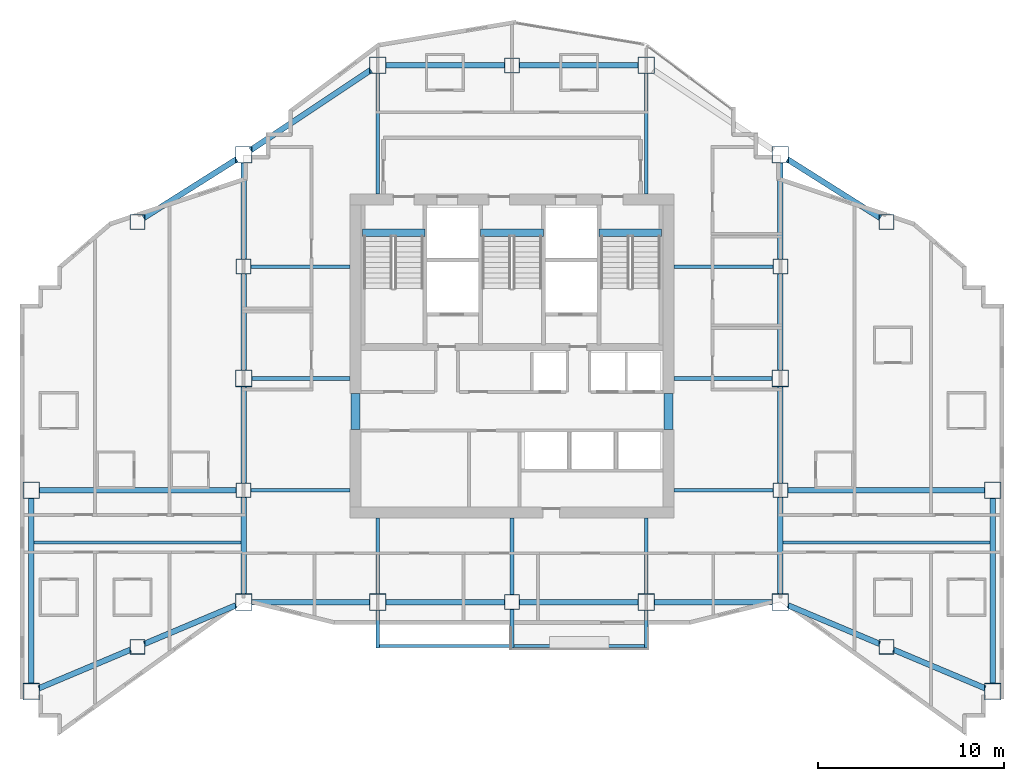
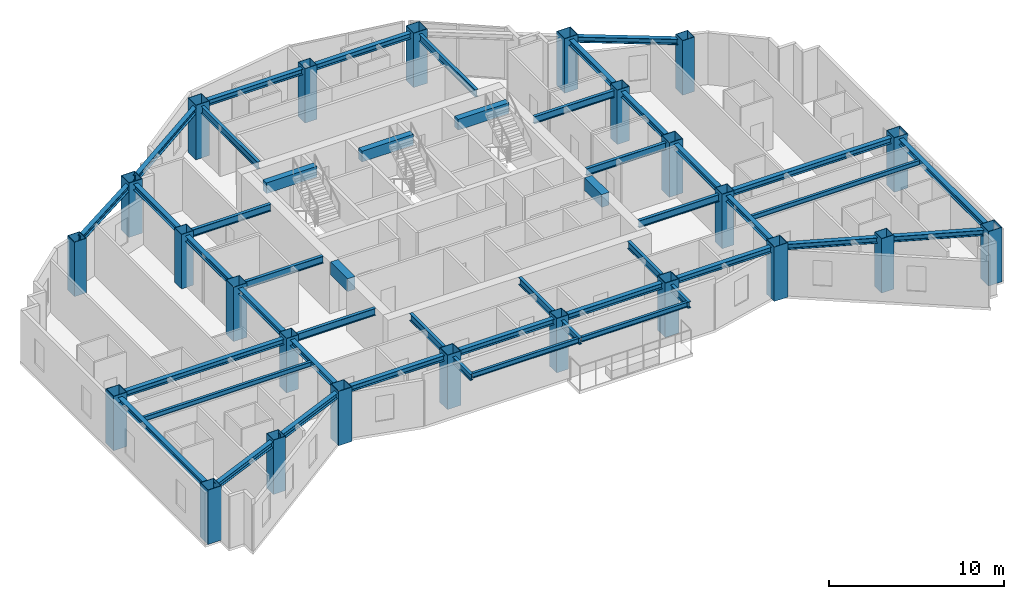
# One storey, part 1 of 11: 48 beams, 24 columns.
"""IFC4 building model written with IfcOpenShell, lengths in metres."""

from ifc_helpers import new_model, si_unit, direction, frame, origin, origin_2d, place, context, subcontext, project, spatial, rectangle, hollow_rectangle, i_section, extrude, material, material_profile, profile_set, type_object, element, save


model = new_model("IFC4")

# Units and contexts
model_context = context("Model", 3, precision=1e-05, world=origin(), true_north=direction((0.0, 1.0)))
body_context = subcontext(model_context, "Body", "Model", "MODEL_VIEW")
ifc_project = project(units=[si_unit("LENGTHUNIT", "METRE"), si_unit("AREAUNIT", "SQUARE_METRE"), si_unit("VOLUMEUNIT", "CUBIC_METRE"), si_unit("PLANEANGLEUNIT", "RADIAN"), si_unit("MASSUNIT", "GRAM", prefix="KILO")], contexts=[model_context])

# Site, building, storey
site_placement = place(None, origin())
site = spatial("IfcSite", under=ifc_project, at=site_placement, CompositionType="ELEMENT")
building_placement = place(site_placement, origin())
building = spatial("IfcBuilding", under=site, at=building_placement, Name="Haolan Belvedere Tower", CompositionType="ELEMENT")
storey_placement = place(building_placement, frame((0.0, 0.0, 188.0)))
storey = spatial("IfcBuildingStorey", under=building, at=storey_placement, Name="L47", CompositionType="ELEMENT", Elevation=188.0)

# Columns
ifc_material_1 = material(Name="Steel Q390GJC", Category="steel")
ifc_material_profile_1 = material_profile(ifc_material_1, hollow_rectangle(XDim=0.800048828125, YDim=0.800048828125, WallThickness=0.030029296875, at=origin_2d()), Name="Steel Q390GJC")
ifc_profile_set_1 = profile_set([ifc_material_profile_1], Name="Steel Q390GJC")
column_type_1 = type_object("IfcColumnType", Name="COL-BOX800x800x30", PredefinedType="COLUMN", material=ifc_profile_set_1)
for number, where, z_axis, x_axis, name in (
    (1, (24.0, 27.60009765625, 0.0), (0.0, 0.0, 1.0), (1.0, 0.0, 0.0), "L47 column TC-T3-W1 (BOX800x800x30)"),
    (2, (24.0, 39.60009765625, 0.0), (0.0, 0.0, 1.0), (1.0, 0.0, 0.0), "L47 column TC-T3-W2 (BOX800x800x30)"),
    (3, (52.800048828125, 27.60009765625, 0.0), (0.0, 0.0, 1.0), (1.0, 0.0, 0.0), "L47 column TC-T3-E1 (BOX800x800x30)"),
    (4, (52.800048828125, 39.60009765625, 0.0), (0.0, 0.0, 1.0), (1.0, 0.0, 0.0), "L47 column TC-T3-E2 (BOX800x800x30)"),
    (5, (38.39990234375, 21.60009765625, 0.0), (0.0, 0.0, 1.0), (1.0, 0.0, 0.0), "L47 column TC-T3-SM (BOX800x800x30)"),
    (6, (38.39990234375, 50.39990234375, 0.0), (0.0, 0.0, 1.0), (1.0, 0.0, 0.0), "L47 column TC-T3-NM (BOX800x800x30)"),
    (7, (18.300048828125, 19.199951171875, 0.0), (0.0, 0.0, 1.0), (1.0, 0.0, 0.0), "L47 column TC-T2-S1 (BOX800x800x30)"),
    (8, (18.300048828125, 42.0, 0.0), (0.0, 0.0, 1.0), (1.0, 0.0, 0.0), "L47 column TC-T2-N1 (BOX800x800x30)"),
    (9, (58.5, 19.199951171875, 0.0), (0.0, 0.0, 1.0), (1.0, 0.0, 0.0), "L47 column TC-T4-S1 (BOX800x800x30)"),
    (10, (58.5, 42.0, 0.0), (0.0, 0.0, 1.0), (1.0, 0.0, 0.0), "L47 column TC-T4-N1 (BOX800x800x30)"),
):
    element("IfcColumn", number, at=place(storey_placement, frame(where, z_axis=z_axis, x_axis=x_axis)), inside=storey, type_object=column_type_1, Name=name, PredefinedType="COLUMN", context=body_context, shape_type="SweptSolid", body=[
        extrude(hollow_rectangle(XDim=0.800048828125, YDim=0.800048828125, WallThickness=0.030029296875, at=origin_2d()), origin(), (0.0, 0.0, 1.0), 3.800048828125),
    ])
ifc_material_profile_2 = material_profile(ifc_material_1, hollow_rectangle(XDim=0.89990234375, YDim=0.89990234375, WallThickness=0.033935546875, at=origin_2d()), Name="Steel Q390GJC")
ifc_profile_set_2 = profile_set([ifc_material_profile_2], Name="Steel Q390GJC")
column_type_2 = type_object("IfcColumnType", Name="COL-BOX900x900x34", PredefinedType="COLUMN", material=ifc_profile_set_2)
for number, where, z_axis, x_axis, name in (
    (11, (24.0, 21.60009765625, 0.0), (0.0, 0.0, 1.0), (1.0, 0.0, 0.0), "L47 column MC-T3-SW (BOX900x900x34)"),
    (12, (24.0, 33.60009765625, 0.0), (0.0, 0.0, 1.0), (1.0, 0.0, 0.0), "L47 column MC-T3-MW (BOX900x900x34)"),
    (13, (24.0, 45.60009765625, 0.0), (0.0, 0.0, 1.0), (1.0, 0.0, 0.0), "L47 column MC-T3-NW (BOX900x900x34)"),
    (14, (52.800048828125, 21.60009765625, 0.0), (0.0, 0.0, 1.0), (1.0, 0.0, 0.0), "L47 column MC-T3-SE (BOX900x900x34)"),
    (15, (52.800048828125, 33.60009765625, 0.0), (0.0, 0.0, 1.0), (1.0, 0.0, 0.0), "L47 column MC-T3-ME (BOX900x900x34)"),
    (16, (52.800048828125, 45.60009765625, 0.0), (0.0, 0.0, 1.0), (1.0, 0.0, 0.0), "L47 column MC-T3-NE (BOX900x900x34)"),
    (17, (31.199951171875, 21.60009765625, 0.0), (0.0, 0.0, 1.0), (1.0, 0.0, 0.0), "L47 column MC-T3-S1 (BOX900x900x34)"),
    (18, (45.60009765625, 21.60009765625, 0.0), (0.0, 0.0, 1.0), (1.0, 0.0, 0.0), "L47 column MC-T3-S2 (BOX900x900x34)"),
    (19, (31.199951171875, 50.39990234375, 0.0), (0.0, 0.0, 1.0), (1.0, 0.0, 0.0), "L47 column MC-T3-N1 (BOX900x900x34)"),
    (20, (45.60009765625, 50.39990234375, 0.0), (0.0, 0.0, 1.0), (1.0, 0.0, 0.0), "L47 column MC-T3-N2 (BOX900x900x34)"),
    (21, (12.60009765625, 16.800048828125, 0.0), (0.0, 0.0, 1.0), (1.0, 0.0, 0.0), "L47 column MC-T2-SW (BOX900x900x34)"),
    (22, (12.60009765625, 27.60009765625, 0.0), (0.0, 0.0, 1.0), (1.0, 0.0, 0.0), "L47 column MC-T2-MW (BOX900x900x34)"),
    (23, (64.199951171875, 16.800048828125, 0.0), (0.0, 0.0, 1.0), (1.0, 0.0, 0.0), "L47 column MC-T4-SE (BOX900x900x34)"),
    (24, (64.199951171875, 27.60009765625, 0.0), (0.0, 0.0, 1.0), (1.0, 0.0, 0.0), "L47 column MC-T4-ME (BOX900x900x34)"),
):
    element("IfcColumn", number, at=place(storey_placement, frame(where, z_axis=z_axis, x_axis=x_axis)), inside=storey, type_object=column_type_2, Name=name, PredefinedType="COLUMN", context=body_context, shape_type="SweptSolid", body=[
        extrude(hollow_rectangle(XDim=0.89990234375, YDim=0.89990234375, WallThickness=0.033935546875, at=origin_2d()), origin(), (0.0, 0.0, 1.0), 3.800048828125),
    ])

# Beams
ifc_material_2 = material(Name="Steel Q355B", Category="steel")
ifc_material_profile_3 = material_profile(ifc_material_2, i_section(OverallWidth=0.300048828125, OverallDepth=0.389892578125, WebThickness=0.010009765625, FlangeThickness=0.01611328125, FilletRadius=0.02197265625, at=origin_2d()), Name="Steel Q355B")
ifc_profile_set_3 = profile_set([ifc_material_profile_3], Name="Steel Q355B")
beam_type_1 = type_object("IfcBeamType", Name="BM-HM390x300x10x16", PredefinedType="SPANDREL", material=ifc_profile_set_3)
for number, where, z_axis, x_axis, name in (
    (25, (24.0, 22.050048828125, 3.425048828125), (0.0, 1.0, 0.0), (-1.0, 0.0, 0.0), "L47 spandrel girder MC-T3-SW-TC-T3-W1"),
    (26, (24.0, 28.0, 3.425048828125), (0.0, 1.0, 0.0), (-1.0, 0.0, 0.0), "L47 spandrel girder TC-T3-W1-MC-T3-MW"),
    (27, (24.0, 34.050048828125, 3.425048828125), (0.0, 1.0, 0.0), (-1.0, 0.0, 0.0), "L47 spandrel girder MC-T3-MW-TC-T3-W2"),
    (28, (24.0, 40.0, 3.425048828125), (0.0, 1.0, 0.0), (-1.0, 0.0, 0.0), "L47 spandrel girder TC-T3-W2-MC-T3-NW"),
    (29, (52.800048828125, 22.050048828125, 3.425048828125), (0.0, 1.0, 0.0), (-1.0, 0.0, 0.0), "L47 spandrel girder MC-T3-SE-TC-T3-E1"),
    (30, (52.800048828125, 28.0, 3.425048828125), (0.0, 1.0, 0.0), (-1.0, 0.0, 0.0), "L47 spandrel girder TC-T3-E1-MC-T3-ME"),
    (31, (52.800048828125, 34.050048828125, 3.425048828125), (0.0, 1.0, 0.0), (-1.0, 0.0, 0.0), "L47 spandrel girder MC-T3-ME-TC-T3-E2"),
    (32, (52.800048828125, 40.0, 3.425048828125), (0.0, 1.0, 0.0), (-1.0, 0.0, 0.0), "L47 spandrel girder TC-T3-E2-MC-T3-NE"),
):
    element("IfcBeam", number, at=place(storey_placement, frame(where, z_axis=z_axis, x_axis=x_axis)), inside=storey, type_object=beam_type_1, Name=name, PredefinedType="SPANDREL", context=body_context, shape_type="SweptSolid", body=[
        extrude(i_section(OverallWidth=0.300048828125, OverallDepth=0.389892578125, WebThickness=0.010009765625, FlangeThickness=0.01611328125, FilletRadius=0.02197265625, at=origin_2d()), origin(), (0.0, 0.0, 1.0), 5.14990234375),
    ])
beam_1_placement = place(storey_placement, frame((24.449951171875, 21.60009765625, 3.425048828125), z_axis=(1.0, 0.0, 0.0), x_axis=(0.0, 1.0, 0.0)))
element("IfcBeam", 33, at=beam_1_placement, inside=storey, type_object=beam_type_1, Name="L47 spandrel girder MC-T3-SW-MC-T3-S1", PredefinedType="SPANDREL", context=body_context, shape_type="SweptSolid", body=[
    extrude(i_section(OverallWidth=0.300048828125, OverallDepth=0.389892578125, WebThickness=0.010009765625, FlangeThickness=0.01611328125, FilletRadius=0.02197265625, at=origin_2d()), origin(), (0.0, 0.0, 1.0), 6.300048828125),
])
beam_2_placement = place(storey_placement, frame((31.64990234375, 21.60009765625, 3.425048828125), z_axis=(1.0, 0.0, 0.0), x_axis=(0.0, 1.0, 0.0)))
element("IfcBeam", 34, at=beam_2_placement, inside=storey, type_object=beam_type_1, Name="L47 spandrel girder MC-T3-S1-TC-T3-SM", PredefinedType="SPANDREL", context=body_context, shape_type="SweptSolid", body=[
    extrude(i_section(OverallWidth=0.300048828125, OverallDepth=0.389892578125, WebThickness=0.010009765625, FlangeThickness=0.01611328125, FilletRadius=0.02197265625, at=origin_2d()), origin(), (0.0, 0.0, 1.0), 6.35009765625),
])
beam_3_placement = place(storey_placement, frame((38.800048828125, 21.60009765625, 3.425048828125), z_axis=(1.0, 0.0, 0.0), x_axis=(0.0, 1.0, 0.0)))
element("IfcBeam", 35, at=beam_3_placement, inside=storey, type_object=beam_type_1, Name="L47 spandrel girder TC-T3-SM-MC-T3-S2", PredefinedType="SPANDREL", context=body_context, shape_type="SweptSolid", body=[
    extrude(i_section(OverallWidth=0.300048828125, OverallDepth=0.389892578125, WebThickness=0.010009765625, FlangeThickness=0.01611328125, FilletRadius=0.02197265625, at=origin_2d()), origin(), (0.0, 0.0, 1.0), 6.349853515625),
])
beam_4_placement = place(storey_placement, frame((46.050048828125, 21.60009765625, 3.425048828125), z_axis=(1.0, 0.0, 0.0), x_axis=(0.0, 1.0, 0.0)))
element("IfcBeam", 36, at=beam_4_placement, inside=storey, type_object=beam_type_1, Name="L47 spandrel girder MC-T3-S2-MC-T3-SE", PredefinedType="SPANDREL", context=body_context, shape_type="SweptSolid", body=[
    extrude(i_section(OverallWidth=0.300048828125, OverallDepth=0.389892578125, WebThickness=0.010009765625, FlangeThickness=0.01611328125, FilletRadius=0.02197265625, at=origin_2d()), origin(), (0.0, 0.0, 1.0), 6.300048828125),
])
beam_5_placement = place(storey_placement, frame((24.37451171875, 45.849609375, 3.425048828125), z_axis=(0.832050294338, 0.554700196225, 0.0), x_axis=(-0.554700196225, 0.832050294338, 0.0)))
element("IfcBeam", 37, at=beam_5_placement, inside=storey, type_object=beam_type_1, Name="L47 spandrel girder MC-T3-NW-MC-T3-N1", PredefinedType="SPANDREL", context=body_context, shape_type="SweptSolid", body=[
    extrude(i_section(OverallWidth=0.300048828125, OverallDepth=0.389892578125, WebThickness=0.010009765625, FlangeThickness=0.01611328125, FilletRadius=0.02197265625, at=origin_2d()), origin(), (0.0, 0.0, 1.0), 7.75341796875),
])
beam_6_placement = place(storey_placement, frame((31.64990234375, 50.39990234375, 3.425048828125), z_axis=(1.0, 0.0, 0.0), x_axis=(0.0, 1.0, 0.0)))
element("IfcBeam", 38, at=beam_6_placement, inside=storey, type_object=beam_type_1, Name="L47 spandrel girder MC-T3-N1-TC-T3-NM", PredefinedType="SPANDREL", context=body_context, shape_type="SweptSolid", body=[
    extrude(i_section(OverallWidth=0.300048828125, OverallDepth=0.389892578125, WebThickness=0.010009765625, FlangeThickness=0.01611328125, FilletRadius=0.02197265625, at=origin_2d()), origin(), (0.0, 0.0, 1.0), 6.35009765625),
])
beam_7_placement = place(storey_placement, frame((38.800048828125, 50.39990234375, 3.425048828125), z_axis=(1.0, 0.0, 0.0), x_axis=(0.0, 1.0, 0.0)))
element("IfcBeam", 39, at=beam_7_placement, inside=storey, type_object=beam_type_1, Name="L47 spandrel girder TC-T3-NM-MC-T3-N2", PredefinedType="SPANDREL", context=body_context, shape_type="SweptSolid", body=[
    extrude(i_section(OverallWidth=0.300048828125, OverallDepth=0.389892578125, WebThickness=0.010009765625, FlangeThickness=0.01611328125, FilletRadius=0.02197265625, at=origin_2d()), origin(), (0.0, 0.0, 1.0), 6.349853515625),
])
beam_8_placement = place(storey_placement, frame((12.60009765625, 17.25, 3.425048828125), z_axis=(0.0, 1.0, 0.0), x_axis=(-1.0, 0.0, 0.0)))
element("IfcBeam", 40, at=beam_8_placement, inside=storey, type_object=beam_type_1, Name="L47 spandrel girder MC-T2-SW-MC-T2-MW", PredefinedType="SPANDREL", context=body_context, shape_type="SweptSolid", body=[
    extrude(i_section(OverallWidth=0.300048828125, OverallDepth=0.389892578125, WebThickness=0.010009765625, FlangeThickness=0.01611328125, FilletRadius=0.02197265625, at=origin_2d()), origin(), (0.0, 0.0, 1.0), 9.89990234375),
])
beam_9_placement = place(storey_placement, frame((13.0146484375, 16.974609375, 3.425048828125), z_axis=(0.921644850741, 0.388034494733, 0.0), x_axis=(-0.388034494733, 0.921644850741, 0.0)))
element("IfcBeam", 41, at=beam_9_placement, inside=storey, type_object=beam_type_1, Name="L47 spandrel girder MC-T2-SW-TC-T2-S1", PredefinedType="SPANDREL", context=body_context, shape_type="SweptSolid", body=[
    extrude(i_section(OverallWidth=0.300048828125, OverallDepth=0.389892578125, WebThickness=0.010009765625, FlangeThickness=0.01611328125, FilletRadius=0.02197265625, at=origin_2d()), origin(), (0.0, 0.0, 1.0), 5.334716796875),
])
beam_10_placement = place(storey_placement, frame((18.668701171875, 19.355224609375, 3.425048828125), z_axis=(0.921637959557, 0.388050862006, 0.0), x_axis=(-0.388050862006, 0.921637959557, 0.0)))
element("IfcBeam", 42, at=beam_10_placement, inside=storey, type_object=beam_type_1, Name="L47 spandrel girder TC-T2-S1-MC-T3-SW", PredefinedType="SPANDREL", context=body_context, shape_type="SweptSolid", body=[
    extrude(i_section(OverallWidth=0.300048828125, OverallDepth=0.389892578125, WebThickness=0.010009765625, FlangeThickness=0.01611328125, FilletRadius=0.02197265625, at=origin_2d()), origin(), (0.0, 0.0, 1.0), 5.33447265625),
])
beam_11_placement = place(storey_placement, frame((18.63818359375, 42.213623046875, 3.425048828125), z_axis=(0.845502688092, 0.533971164417, 0.0), x_axis=(-0.533971164417, 0.845502688092, 0.0)))
element("IfcBeam", 43, at=beam_11_placement, inside=storey, type_object=beam_type_1, Name="L47 spandrel girder TC-T2-N1-MC-T3-NW", PredefinedType="SPANDREL", context=body_context, shape_type="SweptSolid", body=[
    extrude(i_section(OverallWidth=0.300048828125, OverallDepth=0.389892578125, WebThickness=0.010009765625, FlangeThickness=0.01611328125, FilletRadius=0.02197265625, at=origin_2d()), origin(), (0.0, 0.0, 1.0), 5.8916015625),
])
beam_12_placement = place(storey_placement, frame((13.050048828125, 27.60009765625, 3.425048828125), z_axis=(1.0, 0.0, 0.0), x_axis=(0.0, 1.0, 0.0)))
element("IfcBeam", 44, at=beam_12_placement, inside=storey, type_object=beam_type_1, Name="L47 spandrel girder MC-T2-MW-TC-T3-W1", PredefinedType="SPANDREL", context=body_context, shape_type="SweptSolid", body=[
    extrude(i_section(OverallWidth=0.300048828125, OverallDepth=0.389892578125, WebThickness=0.010009765625, FlangeThickness=0.01611328125, FilletRadius=0.02197265625, at=origin_2d()), origin(), (0.0, 0.0, 1.0), 10.550048828125),
])
beam_13_placement = place(storey_placement, frame((64.199951171875, 17.25, 3.425048828125), z_axis=(0.0, 1.0, 0.0), x_axis=(-1.0, 0.0, 0.0)))
element("IfcBeam", 45, at=beam_13_placement, inside=storey, type_object=beam_type_1, Name="L47 spandrel girder MC-T4-SE-MC-T4-ME", PredefinedType="SPANDREL", context=body_context, shape_type="SweptSolid", body=[
    extrude(i_section(OverallWidth=0.300048828125, OverallDepth=0.389892578125, WebThickness=0.010009765625, FlangeThickness=0.01611328125, FilletRadius=0.02197265625, at=origin_2d()), origin(), (0.0, 0.0, 1.0), 9.89990234375),
])
for number, where, z_axis, x_axis, name in (
    (46, (53.21484375, 21.42529296875, 3.425048828125), (0.921637959557, -0.388050862006, 0.0), (0.388050862006, 0.921637959557, 0.0), "L47 spandrel girder MC-T3-SE-TC-T4-S1"),
    (47, (58.86865234375, 19.044677734375, 3.425048828125), (0.921637959557, -0.388050862006, 0.0), (0.388050862006, 0.921637959557, 0.0), "L47 spandrel girder TC-T4-S1-MC-T4-SE"),
):
    element("IfcBeam", number, at=place(storey_placement, frame(where, z_axis=z_axis, x_axis=x_axis)), inside=storey, type_object=beam_type_1, Name=name, PredefinedType="SPANDREL", context=body_context, shape_type="SweptSolid", body=[
        extrude(i_section(OverallWidth=0.300048828125, OverallDepth=0.389892578125, WebThickness=0.010009765625, FlangeThickness=0.01611328125, FilletRadius=0.02197265625, at=origin_2d()), origin(), (0.0, 0.0, 1.0), 5.33447265625),
    ])
beam_14_placement = place(storey_placement, frame((53.180419921875, 45.359619140625, 3.425048828125), z_axis=(0.845502688092, -0.533971164417, 0.0), x_axis=(0.533971164417, 0.845502688092, 0.0)))
element("IfcBeam", 48, at=beam_14_placement, inside=storey, type_object=beam_type_1, Name="L47 spandrel girder MC-T3-NE-TC-T4-N1", PredefinedType="SPANDREL", context=body_context, shape_type="SweptSolid", body=[
    extrude(i_section(OverallWidth=0.300048828125, OverallDepth=0.389892578125, WebThickness=0.010009765625, FlangeThickness=0.01611328125, FilletRadius=0.02197265625, at=origin_2d()), origin(), (0.0, 0.0, 1.0), 5.8916015625),
])
beam_15_placement = place(storey_placement, frame((53.199951171875, 27.60009765625, 3.425048828125), z_axis=(1.0, 0.0, 0.0), x_axis=(0.0, 1.0, 0.0)))
element("IfcBeam", 49, at=beam_15_placement, inside=storey, type_object=beam_type_1, Name="L47 spandrel girder TC-T3-E1-MC-T4-ME", PredefinedType="SPANDREL", context=body_context, shape_type="SweptSolid", body=[
    extrude(i_section(OverallWidth=0.300048828125, OverallDepth=0.389892578125, WebThickness=0.010009765625, FlangeThickness=0.01611328125, FilletRadius=0.02197265625, at=origin_2d()), origin(), (0.0, 0.0, 1.0), 10.550048828125),
])
ifc_material_profile_4 = material_profile(ifc_material_2, i_section(OverallWidth=0.175048828125, OverallDepth=0.35009765625, WebThickness=0.007080078125, FlangeThickness=0.010986328125, FilletRadius=0.012939453125, at=origin_2d()), Name="Steel Q355B")
ifc_profile_set_4 = profile_set([ifc_material_profile_4], Name="Steel Q355B")
beam_type_2 = type_object("IfcBeamType", Name="BM-HN350x175x7x11", PredefinedType="JOIST", material=ifc_profile_set_4)
for number, where, z_axis, x_axis, name in (
    (50, (12.75, 24.800048828125, 3.445068359375), (1.0, 0.0, 0.0), (0.0, 1.0, 0.0), "L47 west wing floor joist 1"),
    (51, (52.949951171875, 24.800048828125, 3.445068359375), (1.0, 0.0, 0.0), (0.0, 1.0, 0.0), "L47 east wing floor joist 1"),
):
    element("IfcBeam", number, at=place(storey_placement, frame(where, z_axis=z_axis, x_axis=x_axis)), inside=storey, type_object=beam_type_2, Name=name, PredefinedType="JOIST", context=body_context, shape_type="SweptSolid", body=[
        extrude(i_section(OverallWidth=0.175048828125, OverallDepth=0.35009765625, WebThickness=0.007080078125, FlangeThickness=0.010986328125, FilletRadius=0.012939453125, at=origin_2d()), origin(), (0.0, 0.0, 1.0), 11.10009765625),
    ])
for number, where, z_axis, x_axis, name in (
    (52, (31.300048828125, 19.239990234375, 3.39501953125), (1.0, 0.0, 0.0), (0.0, 1.0, 0.0), "L48 tree-balcony front trimmer beam 1"),
    (53, (38.5, 19.239990234375, 3.39501953125), (1.0, 0.0, 0.0), (0.0, 1.0, 0.0), "L48 tree-balcony front trimmer beam 2"),
):
    element("IfcBeam", number, at=place(storey_placement, frame(where, z_axis=z_axis, x_axis=x_axis)), inside=storey, type_object=beam_type_2, Name=name, PredefinedType="BEAM", context=body_context, shape_type="SweptSolid", body=[
        extrude(i_section(OverallWidth=0.175048828125, OverallDepth=0.35009765625, WebThickness=0.007080078125, FlangeThickness=0.010986328125, FilletRadius=0.012939453125, at=origin_2d()), origin(), (0.0, 0.0, 1.0), 7.0),
    ])
ifc_material_profile_5 = material_profile(ifc_material_2, i_section(OverallWidth=0.199951171875, OverallDepth=0.449951171875, WebThickness=0.009033203125, FlangeThickness=0.013916015625, FilletRadius=0.01611328125, at=origin_2d()), Name="Steel Q355B")
ifc_profile_set_5 = profile_set([ifc_material_profile_5], Name="Steel Q355B")
beam_type_3 = type_object("IfcBeamType", Name="BM-HN450x200x9x14", PredefinedType="BEAM", material=ifc_profile_set_5)
beam_16_placement = place(storey_placement, frame((31.199951171875, 21.14990234375, 3.344970703125), z_axis=(0.0, -1.0, 0.0), x_axis=(1.0, 0.0, 0.0)))
element("IfcBeam", 54, at=beam_16_placement, inside=storey, type_object=beam_type_3, Name="L48 tree-balcony column cantilever MC-T3-S1", PredefinedType="BEAM", context=body_context, shape_type="SweptSolid", body=[
    extrude(i_section(OverallWidth=0.199951171875, OverallDepth=0.449951171875, WebThickness=0.009033203125, FlangeThickness=0.013916015625, FilletRadius=0.01611328125, at=origin_2d()), origin(), (0.0, 0.0, 1.0), 2.010009765625),
])
beam_17_placement = place(storey_placement, frame((38.39990234375, 21.199951171875, 3.344970703125), z_axis=(0.0, -1.0, 0.0), x_axis=(1.0, 0.0, 0.0)))
element("IfcBeam", 55, at=beam_17_placement, inside=storey, type_object=beam_type_3, Name="L48 tree-balcony column cantilever TC-T3-SM", PredefinedType="BEAM", context=body_context, shape_type="SweptSolid", body=[
    extrude(i_section(OverallWidth=0.199951171875, OverallDepth=0.449951171875, WebThickness=0.009033203125, FlangeThickness=0.013916015625, FilletRadius=0.01611328125, at=origin_2d()), origin(), (0.0, 0.0, 1.0), 2.06005859375),
])
beam_18_placement = place(storey_placement, frame((45.60009765625, 21.14990234375, 3.344970703125), z_axis=(0.0, -1.0, 0.0), x_axis=(1.0, 0.0, 0.0)))
element("IfcBeam", 56, at=beam_18_placement, inside=storey, type_object=beam_type_3, Name="L48 tree-balcony column cantilever MC-T3-S2", PredefinedType="BEAM", context=body_context, shape_type="SweptSolid", body=[
    extrude(i_section(OverallWidth=0.199951171875, OverallDepth=0.449951171875, WebThickness=0.009033203125, FlangeThickness=0.013916015625, FilletRadius=0.01611328125, at=origin_2d()), origin(), (0.0, 0.0, 1.0), 2.010009765625),
])
ifc_material_profile_6 = material_profile(ifc_material_2, i_section(OverallWidth=0.199951171875, OverallDepth=0.5, WebThickness=0.010009765625, FlangeThickness=0.01611328125, FilletRadius=0.02001953125, at=origin_2d()), Name="Steel Q355B")
ifc_profile_set_6 = profile_set([ifc_material_profile_6], Name="Steel Q355B")
beam_type_4 = type_object("IfcBeamType", Name="BM-HN500x200x10x16", PredefinedType="BEAM", material=ifc_profile_set_6)
beam_19_placement = place(storey_placement, frame((24.449951171875, 33.60009765625, 3.3701171875), z_axis=(1.0, 0.0, 0.0), x_axis=(0.0, 1.0, 0.0)))
element("IfcBeam", 57, at=beam_19_placement, inside=storey, type_object=beam_type_4, Name="L47 core tie beam from MC-T3-MW", PredefinedType="BEAM", context=body_context, shape_type="SweptSolid", body=[
    extrude(i_section(OverallWidth=0.199951171875, OverallDepth=0.5, WebThickness=0.010009765625, FlangeThickness=0.01611328125, FilletRadius=0.02001953125, at=origin_2d()), origin(), (0.0, 0.0, 1.0), 5.25),
])
for number, where, z_axis, x_axis, name in (
    (58, (24.39990234375, 27.60009765625, 3.3701171875), (1.0, 0.0, 0.0), (0.0, 1.0, 0.0), "L47 core tie beam from TC-T3-W1"),
    (59, (24.39990234375, 39.60009765625, 3.3701171875), (1.0, 0.0, 0.0), (0.0, 1.0, 0.0), "L47 core tie beam from TC-T3-W2"),
):
    element("IfcBeam", number, at=place(storey_placement, frame(where, z_axis=z_axis, x_axis=x_axis)), inside=storey, type_object=beam_type_4, Name=name, PredefinedType="BEAM", context=body_context, shape_type="SweptSolid", body=[
        extrude(i_section(OverallWidth=0.199951171875, OverallDepth=0.5, WebThickness=0.010009765625, FlangeThickness=0.01611328125, FilletRadius=0.02001953125, at=origin_2d()), origin(), (0.0, 0.0, 1.0), 5.300048828125),
    ])
beam_20_placement = place(storey_placement, frame((52.35009765625, 33.60009765625, 3.3701171875), z_axis=(-1.0, 0.0, 0.0), x_axis=(0.0, -1.0, 0.0)))
element("IfcBeam", 60, at=beam_20_placement, inside=storey, type_object=beam_type_4, Name="L47 core tie beam from MC-T3-ME", PredefinedType="BEAM", context=body_context, shape_type="SweptSolid", body=[
    extrude(i_section(OverallWidth=0.199951171875, OverallDepth=0.5, WebThickness=0.010009765625, FlangeThickness=0.01611328125, FilletRadius=0.02001953125, at=origin_2d()), origin(), (0.0, 0.0, 1.0), 5.25),
])
for number, where, z_axis, x_axis, name in (
    (61, (52.39990234375, 27.60009765625, 3.3701171875), (-1.0, 0.0, 0.0), (0.0, -1.0, 0.0), "L47 core tie beam from TC-T3-E1"),
    (62, (52.39990234375, 39.60009765625, 3.3701171875), (-1.0, 0.0, 0.0), (0.0, -1.0, 0.0), "L47 core tie beam from TC-T3-E2"),
):
    element("IfcBeam", number, at=place(storey_placement, frame(where, z_axis=z_axis, x_axis=x_axis)), inside=storey, type_object=beam_type_4, Name=name, PredefinedType="BEAM", context=body_context, shape_type="SweptSolid", body=[
        extrude(i_section(OverallWidth=0.199951171875, OverallDepth=0.5, WebThickness=0.010009765625, FlangeThickness=0.01611328125, FilletRadius=0.02001953125, at=origin_2d()), origin(), (0.0, 0.0, 1.0), 5.2998046875),
    ])
beam_21_placement = place(storey_placement, frame((31.199951171875, 22.050048828125, 3.3701171875), z_axis=(0.0, 1.0, 0.0), x_axis=(-1.0, 0.0, 0.0)))
element("IfcBeam", 63, at=beam_21_placement, inside=storey, type_object=beam_type_4, Name="L47 core tie beam from MC-T3-S1", PredefinedType="BEAM", context=body_context, shape_type="SweptSolid", body=[
    extrude(i_section(OverallWidth=0.199951171875, OverallDepth=0.5, WebThickness=0.010009765625, FlangeThickness=0.01611328125, FilletRadius=0.02001953125, at=origin_2d()), origin(), (0.0, 0.0, 1.0), 4.050048828125),
])
beam_22_placement = place(storey_placement, frame((38.39990234375, 22.0, 3.3701171875), z_axis=(0.0, 1.0, 0.0), x_axis=(-1.0, 0.0, 0.0)))
element("IfcBeam", 64, at=beam_22_placement, inside=storey, type_object=beam_type_4, Name="L47 core tie beam from TC-T3-SM", PredefinedType="BEAM", context=body_context, shape_type="SweptSolid", body=[
    extrude(i_section(OverallWidth=0.199951171875, OverallDepth=0.5, WebThickness=0.010009765625, FlangeThickness=0.01611328125, FilletRadius=0.02001953125, at=origin_2d()), origin(), (0.0, 0.0, 1.0), 4.10009765625),
])
beam_23_placement = place(storey_placement, frame((45.60009765625, 22.050048828125, 3.3701171875), z_axis=(0.0, 1.0, 0.0), x_axis=(-1.0, 0.0, 0.0)))
element("IfcBeam", 65, at=beam_23_placement, inside=storey, type_object=beam_type_4, Name="L47 core tie beam from MC-T3-S2", PredefinedType="BEAM", context=body_context, shape_type="SweptSolid", body=[
    extrude(i_section(OverallWidth=0.199951171875, OverallDepth=0.5, WebThickness=0.010009765625, FlangeThickness=0.01611328125, FilletRadius=0.02001953125, at=origin_2d()), origin(), (0.0, 0.0, 1.0), 4.050048828125),
])
for number, where, z_axis, x_axis, name in (
    (66, (31.199951171875, 49.949951171875, 3.3701171875), (0.0, -1.0, 0.0), (1.0, 0.0, 0.0), "L47 core tie beam from MC-T3-N1"),
    (67, (45.60009765625, 49.949951171875, 3.3701171875), (0.0, -1.0, 0.0), (1.0, 0.0, 0.0), "L47 core tie beam from MC-T3-N2"),
):
    element("IfcBeam", number, at=place(storey_placement, frame(where, z_axis=z_axis, x_axis=x_axis)), inside=storey, type_object=beam_type_4, Name=name, PredefinedType="BEAM", context=body_context, shape_type="SweptSolid", body=[
        extrude(i_section(OverallWidth=0.199951171875, OverallDepth=0.5, WebThickness=0.010009765625, FlangeThickness=0.01611328125, FilletRadius=0.02001953125, at=origin_2d()), origin(), (0.0, 0.0, 1.0), 6.449951171875),
    ])
ifc_material_3 = material(Name="Concrete C50/60", Category="concrete")
ifc_material_profile_7 = material_profile(ifc_material_3, rectangle(XDim=0.39990234375, YDim=0.75, at=origin_2d()), Name="Concrete C50/60")
ifc_profile_set_7 = profile_set([ifc_material_profile_7], Name="Concrete C50/60")
beam_type_5 = type_object("IfcBeamType", Name="BM-RC400x750", PredefinedType="T_BEAM", material=ifc_profile_set_7)
beam_24_placement = place(storey_placement, frame((30.3798828125, 41.429931640625, 3.425048828125), z_axis=(1.0, 0.0, 0.0), x_axis=(0.0, 1.0, 0.0)))
element("IfcBeam", 68, at=beam_24_placement, inside=storey, type_object=beam_type_5, Name="L48 stair ST1 RC header trimmer beam", PredefinedType="BEAM", context=body_context, shape_type="SweptSolid", body=[
    extrude(rectangle(XDim=0.39990234375, YDim=0.75, at=origin_2d()), origin(), (0.0, 0.0, 1.0), 3.360107421875),
])
beam_25_placement = place(storey_placement, frame((36.699951171875, 41.429931640625, 3.425048828125), z_axis=(1.0, 0.0, 0.0), x_axis=(0.0, 1.0, 0.0)))
element("IfcBeam", 69, at=beam_25_placement, inside=storey, type_object=beam_type_5, Name="L48 stair ST3 RC header trimmer beam", PredefinedType="BEAM", context=body_context, shape_type="SweptSolid", body=[
    extrude(rectangle(XDim=0.39990234375, YDim=0.75, at=origin_2d()), origin(), (0.0, 0.0, 1.0), 3.400146484375),
])
beam_26_placement = place(storey_placement, frame((43.06005859375, 41.429931640625, 3.425048828125), z_axis=(1.0, 0.0, 0.0), x_axis=(0.0, 1.0, 0.0)))
element("IfcBeam", 70, at=beam_26_placement, inside=storey, type_object=beam_type_5, Name="L48 stair ST2 RC header trimmer beam", PredefinedType="BEAM", context=body_context, shape_type="SweptSolid", body=[
    extrude(rectangle(XDim=0.39990234375, YDim=0.75, at=origin_2d()), origin(), (0.0, 0.0, 1.0), 3.35986328125),
])
ifc_material_4 = material(Name="Concrete C60/75", Category="concrete")
ifc_material_profile_8 = material_profile(ifc_material_4, rectangle(XDim=0.5, YDim=0.89990234375, at=origin_2d()), Name="Concrete C60/75")
ifc_profile_set_8 = profile_set([ifc_material_profile_8], Name="Concrete C60/75")
beam_type_6 = type_object("IfcBeamType", Name="BM-RC500x900", PredefinedType="LINTEL", material=ifc_profile_set_8)
for number, where, z_axis, x_axis, name in (
    (71, (30.0, 30.85009765625, 3.169921875), (0.0, 1.0, 0.0), (-1.0, 0.0, 0.0), "L47 west core coupling beam CB-01"),
    (72, (46.800048828125, 30.85009765625, 3.169921875), (0.0, 1.0, 0.0), (-1.0, 0.0, 0.0), "L47 east core coupling beam CB-01"),
):
    element("IfcBeam", number, at=place(storey_placement, frame(where, z_axis=z_axis, x_axis=x_axis)), inside=storey, type_object=beam_type_6, Name=name, PredefinedType="LINTEL", context=body_context, shape_type="SweptSolid", body=[
        extrude(rectangle(XDim=0.5, YDim=0.89990234375, at=origin_2d()), origin(), (0.0, 0.0, 1.0), 1.949951171875),
    ])

save(model, "model.ifc")
